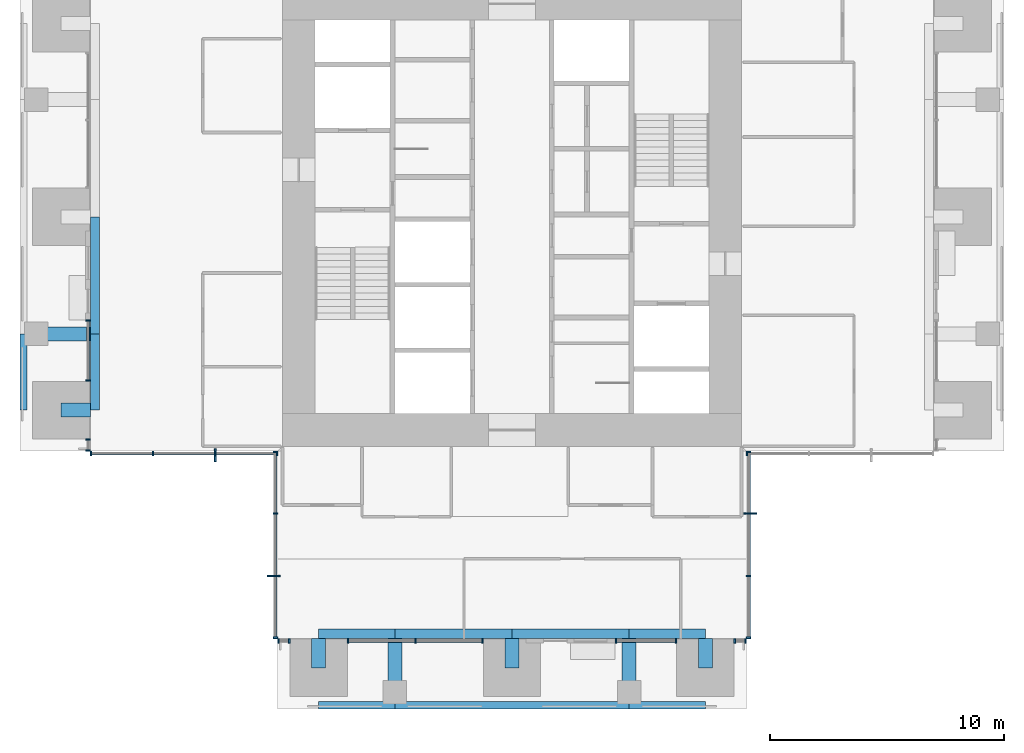
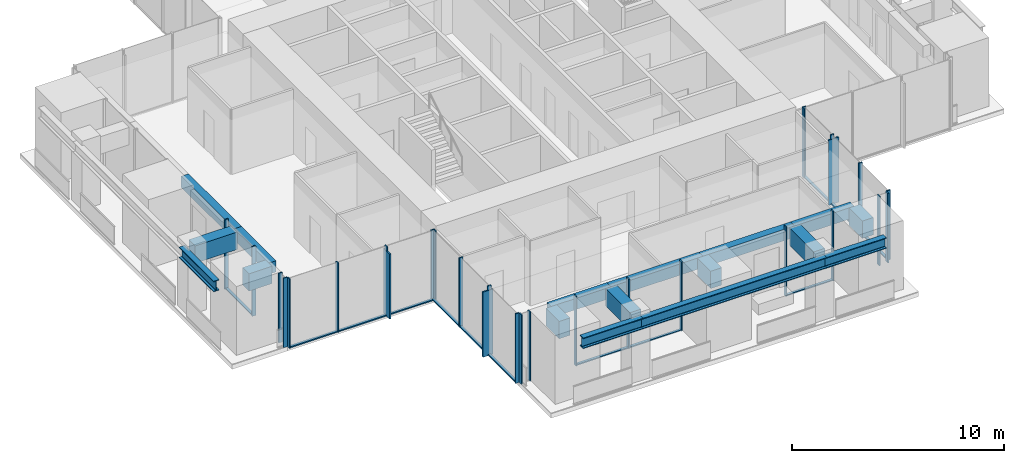
# One storey, part 2 of 17: 42 members, 17 beams, 10 elements without a shape of their own.
"""IFC4 building model written with IfcOpenShell, lengths in metres."""

from ifc_helpers import new_model, si_unit, direction, frame, origin, origin_2d, place, context, subcontext, project, spatial, rectangle, i_section, extrude, material, material_profile, profile_set, type_object, element, aggregate, save


model = new_model("IFC4")

# Units and contexts
model_context = context("Model", 3, precision=1e-05, world=origin(), true_north=direction((0.0, 1.0)))
body_context = subcontext(model_context, "Body", "Model", "MODEL_VIEW")
ifc_project = project(units=[si_unit("LENGTHUNIT", "METRE"), si_unit("AREAUNIT", "SQUARE_METRE"), si_unit("VOLUMEUNIT", "CUBIC_METRE"), si_unit("PLANEANGLEUNIT", "RADIAN"), si_unit("MASSUNIT", "GRAM", prefix="KILO")], contexts=[model_context])

# Site, building, storey
site_placement = place(None, origin())
site = spatial("IfcSite", under=ifc_project, at=site_placement, CompositionType="ELEMENT")
building_placement = place(site_placement, origin())
building = spatial("IfcBuilding", under=site, at=building_placement, Name="Svetlomir Tower", CompositionType="ELEMENT")
storey_placement = place(building_placement, frame((0.0, 0.0, 194.5)))
storey = spatial("IfcBuildingStorey", under=building, at=storey_placement, Name="L46", CompositionType="ELEMENT", Elevation=194.5)

# Curtain wall, member
ifc_material_1 = material(Name="Bronze anodised aluminium curtain wall", Category="aluminium")
curtain_wall_type = type_object("IfcCurtainWallType", Name="CURTAIN WALL CW1 TOWER OFFICE", PredefinedType="NOTDEFINED", material=ifc_material_1)
curtain_wall_1_placement = place(storey_placement, origin())
curtain_wall_1 = element("IfcCurtainWall", 1, at=curtain_wall_1_placement, inside=storey, type_object=curtain_wall_type, Name="Curtain wall CW1 L46", PredefinedType="NOTDEFINED")
ifc_material_2 = material(Name="Bronze anodised aluminium", Category="aluminium")
ifc_material_profile_1 = material_profile(ifc_material_2, rectangle(XDim=0.080078125, YDim=0.550048828125, at=origin_2d()), Name="FIN 80x550")
ifc_profile_set_1 = profile_set([ifc_material_profile_1], Name="Bronze anodised aluminium 6063-T6")
member_type_1 = type_object("IfcMemberType", Name="BRONZE FIN 80x550", PredefinedType="USERDEFINED", material=ifc_profile_set_1)
member_1_placement = place(storey_placement, frame((31.175048828125, 8.333251953125, 0.0), z_axis=(0.0, 0.0, 1.0), x_axis=(0.0, 1.0, 0.0)))
member_1 = element("IfcMember", 2, at=member_1_placement, type_object=member_type_1, Name="Bronze fin L46", ObjectType="FIN", PredefinedType="USERDEFINED", context=body_context, shape_type="SweptSolid", body=[
    extrude(rectangle(XDim=0.080078125, YDim=0.550048828125, at=origin_2d()), origin(), (0.0, 0.0, 1.0), 3.75),
])

curtain_wall_2_placement = place(storey_placement, origin())
curtain_wall_2 = element("IfcCurtainWall", 3, at=curtain_wall_2_placement, inside=storey, type_object=curtain_wall_type, Name="Curtain wall CW1 L46", PredefinedType="NOTDEFINED")
member_2_placement = place(storey_placement, frame((8.333251953125, 10.824951171875, 0.0), z_axis=(0.0, 0.0, 1.0), x_axis=(1.0, 0.0, 0.0)))
member_2 = element("IfcMember", 4, at=member_2_placement, type_object=member_type_1, Name="Bronze fin L46", ObjectType="FIN", PredefinedType="USERDEFINED", context=body_context, shape_type="SweptSolid", body=[
    extrude(rectangle(XDim=0.080078125, YDim=0.550048828125, at=origin_2d()), origin(), (0.0, 0.0, 1.0), 3.75),
])

curtain_wall_3_placement = place(storey_placement, origin())
curtain_wall_3 = element("IfcCurtainWall", 5, at=curtain_wall_3_placement, inside=storey, type_object=curtain_wall_type, Name="Curtain wall CW1 L46", PredefinedType="NOTDEFINED")
member_3_placement = place(storey_placement, frame((10.824951171875, 5.666748046875, 0.0), z_axis=(0.0, 0.0, 1.0), x_axis=(0.0, 1.0, 0.0)))
member_3 = element("IfcMember", 6, at=member_3_placement, type_object=member_type_1, Name="Bronze fin L46", ObjectType="FIN", PredefinedType="USERDEFINED", context=body_context, shape_type="SweptSolid", body=[
    extrude(rectangle(XDim=0.080078125, YDim=0.550048828125, at=origin_2d()), origin(), (0.0, 0.0, 1.0), 3.75),
])

# Curtain wall, members
curtain_wall_4_placement = place(storey_placement, origin())
curtain_wall_4 = element("IfcCurtainWall", 7, at=curtain_wall_4_placement, inside=storey, type_object=curtain_wall_type, Name="Curtain wall CW1 L46", PredefinedType="NOTDEFINED")
ifc_material_3 = material(Name="Bronze anodised aluminium", Category="aluminium")
ifc_material_profile_2 = material_profile(ifc_material_3, rectangle(XDim=0.06494140625, YDim=0.199951171875, at=origin_2d()), Name="AL 65x200")
ifc_profile_set_2 = profile_set([ifc_material_profile_2], Name="Bronze anodised aluminium 6063-T6")
member_type_2 = type_object("IfcMemberType", Name="CW1 MULLION 65x200", PredefinedType="MULLION", material=ifc_profile_set_2)
member_4_placement = place(storey_placement, frame((11.032470703125, 2.89990234375, 0.0), z_axis=(0.0, 0.0, 1.0), x_axis=(1.0, 0.0, 0.0)))
member_4 = element("IfcMember", 8, at=member_4_placement, type_object=member_type_2, Name="CW1 mullion 1", PredefinedType="MULLION", context=body_context, shape_type="SweptSolid", body=[
    extrude(rectangle(XDim=0.06494140625, YDim=0.199951171875, at=origin_2d()), origin(), (0.0, 0.0, 1.0), 4.0),
])
member_5_placement = place(storey_placement, frame((11.492431640625, 2.89990234375, 0.0), z_axis=(0.0, 0.0, 1.0), x_axis=(1.0, 0.0, 0.0)))
member_5 = element("IfcMember", 9, at=member_5_placement, type_object=member_type_2, Name="CW1 mullion 2", PredefinedType="MULLION", context=body_context, shape_type="SweptSolid", body=[
    extrude(rectangle(XDim=0.06494140625, YDim=0.199951171875, at=origin_2d()), origin(), (0.0, 0.0, 1.0), 4.0),
])
aggregate(curtain_wall_4, [member_4, member_5])

curtain_wall_5_placement = place(storey_placement, origin())
curtain_wall_5 = element("IfcCurtainWall", 10, at=curtain_wall_5_placement, inside=storey, type_object=curtain_wall_type, Name="Curtain wall CW1 L46", PredefinedType="NOTDEFINED")
member_6_placement = place(storey_placement, frame((14.007568359375, 2.89990234375, 0.0), z_axis=(0.0, 0.0, 1.0), x_axis=(1.0, 0.0, 0.0)))
member_6 = element("IfcMember", 11, at=member_6_placement, type_object=member_type_2, Name="CW1 mullion 1", PredefinedType="MULLION", context=body_context, shape_type="SweptSolid", body=[
    extrude(rectangle(XDim=0.06494140625, YDim=0.199951171875, at=origin_2d()), origin(), (0.0, 0.0, 1.0), 4.0),
])
member_7_placement = place(storey_placement, frame((16.875, 2.89990234375, 0.0), z_axis=(0.0, 0.0, 1.0), x_axis=(1.0, 0.0, 0.0)))
member_7 = element("IfcMember", 12, at=member_7_placement, type_object=member_type_2, Name="CW1 mullion 2", PredefinedType="MULLION", context=body_context, shape_type="SweptSolid", body=[
    extrude(rectangle(XDim=0.06494140625, YDim=0.199951171875, at=origin_2d()), origin(), (0.0, 0.0, 1.0), 4.0),
])
member_8_placement = place(storey_placement, frame((19.742431640625, 2.89990234375, 0.0), z_axis=(0.0, 0.0, 1.0), x_axis=(1.0, 0.0, 0.0)))
member_8 = element("IfcMember", 13, at=member_8_placement, type_object=member_type_2, Name="CW1 mullion 3", PredefinedType="MULLION", context=body_context, shape_type="SweptSolid", body=[
    extrude(rectangle(XDim=0.06494140625, YDim=0.199951171875, at=origin_2d()), origin(), (0.0, 0.0, 1.0), 4.0),
])

curtain_wall_6_placement = place(storey_placement, origin())
curtain_wall_6 = element("IfcCurtainWall", 14, at=curtain_wall_6_placement, inside=storey, type_object=curtain_wall_type, Name="Curtain wall CW1 L46", PredefinedType="NOTDEFINED")
member_9_placement = place(storey_placement, frame((25.4326171875, 2.89990234375, 0.0), z_axis=(0.0, 0.0, 1.0), x_axis=(1.0, 0.0, 0.0)))
member_9 = element("IfcMember", 15, at=member_9_placement, type_object=member_type_2, Name="CW1 mullion 1", PredefinedType="MULLION", context=body_context, shape_type="SweptSolid", body=[
    extrude(rectangle(XDim=0.06494140625, YDim=0.199951171875, at=origin_2d()), origin(), (0.0, 0.0, 1.0), 4.0),
])
member_10_placement = place(storey_placement, frame((27.992431640625, 2.89990234375, 0.0), z_axis=(0.0, 0.0, 1.0), x_axis=(1.0, 0.0, 0.0)))
member_10 = element("IfcMember", 16, at=member_10_placement, type_object=member_type_2, Name="CW1 mullion 2", PredefinedType="MULLION", context=body_context, shape_type="SweptSolid", body=[
    extrude(rectangle(XDim=0.06494140625, YDim=0.199951171875, at=origin_2d()), origin(), (0.0, 0.0, 1.0), 4.0),
])

curtain_wall_7_placement = place(storey_placement, origin())
curtain_wall_7 = element("IfcCurtainWall", 17, at=curtain_wall_7_placement, inside=storey, type_object=curtain_wall_type, Name="Curtain wall CW1 L46", PredefinedType="NOTDEFINED")
member_11_placement = place(storey_placement, frame((30.507568359375, 2.89990234375, 0.0), z_axis=(0.0, 0.0, 1.0), x_axis=(1.0, 0.0, 0.0)))
member_11 = element("IfcMember", 18, at=member_11_placement, type_object=member_type_2, Name="CW1 mullion 1", PredefinedType="MULLION", context=body_context, shape_type="SweptSolid", body=[
    extrude(rectangle(XDim=0.06494140625, YDim=0.199951171875, at=origin_2d()), origin(), (0.0, 0.0, 1.0), 4.0),
])
member_12_placement = place(storey_placement, frame((30.967529296875, 2.89990234375, 0.0), z_axis=(0.0, 0.0, 1.0), x_axis=(1.0, 0.0, 0.0)))
member_12 = element("IfcMember", 19, at=member_12_placement, type_object=member_type_2, Name="CW1 mullion 2", PredefinedType="MULLION", context=body_context, shape_type="SweptSolid", body=[
    extrude(rectangle(XDim=0.06494140625, YDim=0.199951171875, at=origin_2d()), origin(), (0.0, 0.0, 1.0), 4.0),
])
aggregate(curtain_wall_7, [member_11, member_12])

# Member
member_13_placement = place(storey_placement, frame((31.10009765625, 3.032470703125, 0.0), z_axis=(0.0, 0.0, 1.0), x_axis=(0.0, 1.0, 0.0)))
member_13 = element("IfcMember", 20, at=member_13_placement, type_object=member_type_2, Name="CW1 mullion 1", PredefinedType="MULLION", context=body_context, shape_type="SweptSolid", body=[
    extrude(rectangle(XDim=0.06494140625, YDim=0.199951171875, at=origin_2d()), origin(), (0.0, 0.0, 1.0), 4.0),
])

member_14_placement = place(storey_placement, frame((31.10009765625, 5.666748046875, 0.0), z_axis=(0.0, 0.0, 1.0), x_axis=(0.0, 1.0, 0.0)))
member_14 = element("IfcMember", 21, at=member_14_placement, type_object=member_type_2, Name="CW1 mullion 2", PredefinedType="MULLION", context=body_context, shape_type="SweptSolid", body=[
    extrude(rectangle(XDim=0.06494140625, YDim=0.199951171875, at=origin_2d()), origin(), (0.0, 0.0, 1.0), 4.0),
])

member_15_placement = place(storey_placement, frame((31.10009765625, 8.333251953125, 0.0), z_axis=(0.0, 0.0, 1.0), x_axis=(0.0, 1.0, 0.0)))
member_15 = element("IfcMember", 22, at=member_15_placement, type_object=member_type_2, Name="CW1 mullion 3", PredefinedType="MULLION", context=body_context, shape_type="SweptSolid", body=[
    extrude(rectangle(XDim=0.06494140625, YDim=0.199951171875, at=origin_2d()), origin(), (0.0, 0.0, 1.0), 4.0),
])

member_16_placement = place(storey_placement, frame((31.10009765625, 10.967529296875, 0.0), z_axis=(0.0, 0.0, 1.0), x_axis=(0.0, 1.0, 0.0)))
member_16 = element("IfcMember", 23, at=member_16_placement, type_object=member_type_2, Name="CW1 mullion 4", PredefinedType="MULLION", context=body_context, shape_type="SweptSolid", body=[
    extrude(rectangle(XDim=0.06494140625, YDim=0.199951171875, at=origin_2d()), origin(), (0.0, 0.0, 1.0), 4.0),
])

# Curtain wall, member
curtain_wall_8_placement = place(storey_placement, origin())
curtain_wall_8 = element("IfcCurtainWall", 24, at=curtain_wall_8_placement, inside=storey, type_object=curtain_wall_type, Name="Curtain wall CW1 L46", PredefinedType="NOTDEFINED")
member_17_placement = place(storey_placement, frame((31.032470703125, 10.89990234375, 0.0), z_axis=(0.0, 0.0, 1.0), x_axis=(1.0, 0.0, 0.0)))
member_17 = element("IfcMember", 25, at=member_17_placement, type_object=member_type_2, Name="CW1 mullion 1", PredefinedType="MULLION", context=body_context, shape_type="SweptSolid", body=[
    extrude(rectangle(XDim=0.06494140625, YDim=0.199951171875, at=origin_2d()), origin(), (0.0, 0.0, 1.0), 4.0),
])
aggregate(curtain_wall_8, [member_17])

# Curtain wall, members
curtain_wall_9_placement = place(storey_placement, origin())
curtain_wall_9 = element("IfcCurtainWall", 26, at=curtain_wall_9_placement, inside=storey, type_object=curtain_wall_type, Name="Curtain wall CW1 L46", PredefinedType="NOTDEFINED")
member_18_placement = place(storey_placement, frame((2.89990234375, 16.5673828125, 0.0), z_axis=(0.0, 0.0, 1.0), x_axis=(0.0, -1.0, 0.0)))
member_18 = element("IfcMember", 27, at=member_18_placement, type_object=member_type_2, Name="CW1 mullion 1", PredefinedType="MULLION", context=body_context, shape_type="SweptSolid", body=[
    extrude(rectangle(XDim=0.06494140625, YDim=0.199951171875, at=origin_2d()), origin(), (0.0, 0.0, 1.0), 4.0),
])
member_19_placement = place(storey_placement, frame((2.89990234375, 14.007568359375, 0.0), z_axis=(0.0, 0.0, 1.0), x_axis=(0.0, -1.0, 0.0)))
member_19 = element("IfcMember", 28, at=member_19_placement, type_object=member_type_2, Name="CW1 mullion 2", PredefinedType="MULLION", context=body_context, shape_type="SweptSolid", body=[
    extrude(rectangle(XDim=0.06494140625, YDim=0.199951171875, at=origin_2d()), origin(), (0.0, 0.0, 1.0), 4.0),
])

curtain_wall_10_placement = place(storey_placement, origin())
curtain_wall_10 = element("IfcCurtainWall", 29, at=curtain_wall_10_placement, inside=storey, type_object=curtain_wall_type, Name="Curtain wall CW1 L46", PredefinedType="NOTDEFINED")
member_20_placement = place(storey_placement, frame((2.89990234375, 11.492431640625, 0.0), z_axis=(0.0, 0.0, 1.0), x_axis=(0.0, -1.0, 0.0)))
member_20 = element("IfcMember", 30, at=member_20_placement, type_object=member_type_2, Name="CW1 mullion 1", PredefinedType="MULLION", context=body_context, shape_type="SweptSolid", body=[
    extrude(rectangle(XDim=0.06494140625, YDim=0.199951171875, at=origin_2d()), origin(), (0.0, 0.0, 1.0), 4.0),
])
member_21_placement = place(storey_placement, frame((2.89990234375, 11.032470703125, 0.0), z_axis=(0.0, 0.0, 1.0), x_axis=(0.0, -1.0, 0.0)))
member_21 = element("IfcMember", 31, at=member_21_placement, type_object=member_type_2, Name="CW1 mullion 2", PredefinedType="MULLION", context=body_context, shape_type="SweptSolid", body=[
    extrude(rectangle(XDim=0.06494140625, YDim=0.199951171875, at=origin_2d()), origin(), (0.0, 0.0, 1.0), 4.0),
])
aggregate(curtain_wall_10, [member_20, member_21])

# Member
member_22_placement = place(storey_placement, frame((3.032470703125, 10.89990234375, 0.0), z_axis=(0.0, 0.0, 1.0), x_axis=(1.0, 0.0, 0.0)))
member_22 = element("IfcMember", 32, at=member_22_placement, type_object=member_type_2, Name="CW1 mullion 1", PredefinedType="MULLION", context=body_context, shape_type="SweptSolid", body=[
    extrude(rectangle(XDim=0.06494140625, YDim=0.199951171875, at=origin_2d()), origin(), (0.0, 0.0, 1.0), 4.0),
])

member_23_placement = place(storey_placement, frame((5.666748046875, 10.89990234375, 0.0), z_axis=(0.0, 0.0, 1.0), x_axis=(1.0, 0.0, 0.0)))
member_23 = element("IfcMember", 33, at=member_23_placement, type_object=member_type_2, Name="CW1 mullion 2", PredefinedType="MULLION", context=body_context, shape_type="SweptSolid", body=[
    extrude(rectangle(XDim=0.06494140625, YDim=0.199951171875, at=origin_2d()), origin(), (0.0, 0.0, 1.0), 4.0),
])

member_24_placement = place(storey_placement, frame((8.333251953125, 10.89990234375, 0.0), z_axis=(0.0, 0.0, 1.0), x_axis=(1.0, 0.0, 0.0)))
member_24 = element("IfcMember", 34, at=member_24_placement, type_object=member_type_2, Name="CW1 mullion 3", PredefinedType="MULLION", context=body_context, shape_type="SweptSolid", body=[
    extrude(rectangle(XDim=0.06494140625, YDim=0.199951171875, at=origin_2d()), origin(), (0.0, 0.0, 1.0), 4.0),
])

member_25_placement = place(storey_placement, frame((10.967529296875, 10.89990234375, 0.0), z_axis=(0.0, 0.0, 1.0), x_axis=(1.0, 0.0, 0.0)))
member_25 = element("IfcMember", 35, at=member_25_placement, type_object=member_type_2, Name="CW1 mullion 4", PredefinedType="MULLION", context=body_context, shape_type="SweptSolid", body=[
    extrude(rectangle(XDim=0.06494140625, YDim=0.199951171875, at=origin_2d()), origin(), (0.0, 0.0, 1.0), 4.0),
])

member_26_placement = place(storey_placement, frame((10.89990234375, 10.967529296875, 0.0), z_axis=(0.0, 0.0, 1.0), x_axis=(0.0, -1.0, 0.0)))
member_26 = element("IfcMember", 36, at=member_26_placement, type_object=member_type_2, Name="CW1 mullion 1", PredefinedType="MULLION", context=body_context, shape_type="SweptSolid", body=[
    extrude(rectangle(XDim=0.06494140625, YDim=0.199951171875, at=origin_2d()), origin(), (0.0, 0.0, 1.0), 4.0),
])

member_27_placement = place(storey_placement, frame((10.89990234375, 8.333251953125, 0.0), z_axis=(0.0, 0.0, 1.0), x_axis=(0.0, -1.0, 0.0)))
member_27 = element("IfcMember", 37, at=member_27_placement, type_object=member_type_2, Name="CW1 mullion 2", PredefinedType="MULLION", context=body_context, shape_type="SweptSolid", body=[
    extrude(rectangle(XDim=0.06494140625, YDim=0.199951171875, at=origin_2d()), origin(), (0.0, 0.0, 1.0), 4.0),
])

member_28_placement = place(storey_placement, frame((10.89990234375, 5.666748046875, 0.0), z_axis=(0.0, 0.0, 1.0), x_axis=(0.0, -1.0, 0.0)))
member_28 = element("IfcMember", 38, at=member_28_placement, type_object=member_type_2, Name="CW1 mullion 3", PredefinedType="MULLION", context=body_context, shape_type="SweptSolid", body=[
    extrude(rectangle(XDim=0.06494140625, YDim=0.199951171875, at=origin_2d()), origin(), (0.0, 0.0, 1.0), 4.0),
])

member_29_placement = place(storey_placement, frame((10.89990234375, 3.032470703125, 0.0), z_axis=(0.0, 0.0, 1.0), x_axis=(0.0, -1.0, 0.0)))
member_29 = element("IfcMember", 39, at=member_29_placement, type_object=member_type_2, Name="CW1 mullion 4", PredefinedType="MULLION", context=body_context, shape_type="SweptSolid", body=[
    extrude(rectangle(XDim=0.06494140625, YDim=0.199951171875, at=origin_2d()), origin(), (0.0, 0.0, 1.0), 4.0),
])

ifc_material_4 = material(Name="Bronze anodised aluminium", Category="aluminium")
ifc_material_profile_3 = material_profile(ifc_material_4, rectangle(XDim=0.139892578125, YDim=0.06494140625, at=origin_2d()), Name="AL 140x65")
ifc_profile_set_3 = profile_set([ifc_material_profile_3], Name="Bronze anodised aluminium 6063-T6")
member_type_3 = type_object("IfcMemberType", Name="CW1 TRANSOM 65x140", PredefinedType="USERDEFINED", material=ifc_profile_set_3)
member_30_placement = place(storey_placement, frame((14.0400390625, 2.89990234375, 0.032470703125), z_axis=(1.0, 0.0, 0.0), x_axis=(0.0, 1.0, 0.0)))
member_30 = element("IfcMember", 40, at=member_30_placement, type_object=member_type_3, Name="CW1 transom 1.1", ObjectType="TRANSOM", PredefinedType="USERDEFINED", context=body_context, shape_type="SweptSolid", body=[
    extrude(rectangle(XDim=0.139892578125, YDim=0.06494140625, at=origin_2d()), origin(), (0.0, 0.0, 1.0), 2.802490234375),
])

member_31_placement = place(storey_placement, frame((16.907470703125, 2.89990234375, 0.032470703125), z_axis=(1.0, 0.0, 0.0), x_axis=(0.0, 1.0, 0.0)))
member_31 = element("IfcMember", 41, at=member_31_placement, type_object=member_type_3, Name="CW1 transom 2.1", ObjectType="TRANSOM", PredefinedType="USERDEFINED", context=body_context, shape_type="SweptSolid", body=[
    extrude(rectangle(XDim=0.139892578125, YDim=0.06494140625, at=origin_2d()), origin(), (0.0, 0.0, 1.0), 2.802490234375),
])

aggregate(curtain_wall_5, [member_6, member_7, member_8, member_30, member_31])

member_32_placement = place(storey_placement, frame((25.465087890625, 2.89990234375, 0.032470703125), z_axis=(1.0, 0.0, 0.0), x_axis=(0.0, 1.0, 0.0)))
member_32 = element("IfcMember", 42, at=member_32_placement, type_object=member_type_3, Name="CW1 transom 1.1", ObjectType="TRANSOM", PredefinedType="USERDEFINED", context=body_context, shape_type="SweptSolid", body=[
    extrude(rectangle(XDim=0.139892578125, YDim=0.06494140625, at=origin_2d()), origin(), (0.0, 0.0, 1.0), 2.494873046875),
])

aggregate(curtain_wall_6, [member_9, member_10, member_32])

member_33_placement = place(storey_placement, frame((31.10009765625, 3.06494140625, 0.032470703125), z_axis=(0.0, 1.0, 0.0), x_axis=(-1.0, 0.0, 0.0)))
member_33 = element("IfcMember", 43, at=member_33_placement, type_object=member_type_3, Name="CW1 transom 1.1", ObjectType="TRANSOM", PredefinedType="USERDEFINED", context=body_context, shape_type="SweptSolid", body=[
    extrude(rectangle(XDim=0.139892578125, YDim=0.06494140625, at=origin_2d()), origin(), (0.0, 0.0, 1.0), 2.5693359375),
])

member_34_placement = place(storey_placement, frame((31.10009765625, 5.69921875, 0.032470703125), z_axis=(0.0, 1.0, 0.0), x_axis=(-1.0, 0.0, 0.0)))
member_34 = element("IfcMember", 44, at=member_34_placement, type_object=member_type_3, Name="CW1 transom 2.1", ObjectType="TRANSOM", PredefinedType="USERDEFINED", context=body_context, shape_type="SweptSolid", body=[
    extrude(rectangle(XDim=0.139892578125, YDim=0.06494140625, at=origin_2d()), origin(), (0.0, 0.0, 1.0), 2.6015625),
])

member_35_placement = place(storey_placement, frame((31.10009765625, 8.36572265625, 0.032470703125), z_axis=(0.0, 1.0, 0.0), x_axis=(-1.0, 0.0, 0.0)))
member_35 = element("IfcMember", 45, at=member_35_placement, type_object=member_type_3, Name="CW1 transom 3.1", ObjectType="TRANSOM", PredefinedType="USERDEFINED", context=body_context, shape_type="SweptSolid", body=[
    extrude(rectangle(XDim=0.139892578125, YDim=0.06494140625, at=origin_2d()), origin(), (0.0, 0.0, 1.0), 2.5693359375),
])

aggregate(curtain_wall_1, [member_13, member_14, member_15, member_16, member_33, member_34, member_35, member_1])

member_36_placement = place(storey_placement, frame((2.89990234375, 16.534912109375, 0.032470703125), z_axis=(0.0, -1.0, 0.0), x_axis=(1.0, 0.0, 0.0)))
member_36 = element("IfcMember", 46, at=member_36_placement, type_object=member_type_3, Name="CW1 transom 1.1", ObjectType="TRANSOM", PredefinedType="USERDEFINED", context=body_context, shape_type="SweptSolid", body=[
    extrude(rectangle(XDim=0.139892578125, YDim=0.06494140625, at=origin_2d()), origin(), (0.0, 0.0, 1.0), 2.494873046875),
])

aggregate(curtain_wall_9, [member_18, member_19, member_36])

member_37_placement = place(storey_placement, frame((3.06494140625, 10.89990234375, 0.032470703125), z_axis=(1.0, 0.0, 0.0), x_axis=(0.0, 1.0, 0.0)))
member_37 = element("IfcMember", 47, at=member_37_placement, type_object=member_type_3, Name="CW1 transom 1.1", ObjectType="TRANSOM", PredefinedType="USERDEFINED", context=body_context, shape_type="SweptSolid", body=[
    extrude(rectangle(XDim=0.139892578125, YDim=0.06494140625, at=origin_2d()), origin(), (0.0, 0.0, 1.0), 2.5693359375),
])

member_38_placement = place(storey_placement, frame((5.69921875, 10.89990234375, 0.032470703125), z_axis=(1.0, 0.0, 0.0), x_axis=(0.0, 1.0, 0.0)))
member_38 = element("IfcMember", 48, at=member_38_placement, type_object=member_type_3, Name="CW1 transom 2.1", ObjectType="TRANSOM", PredefinedType="USERDEFINED", context=body_context, shape_type="SweptSolid", body=[
    extrude(rectangle(XDim=0.139892578125, YDim=0.06494140625, at=origin_2d()), origin(), (0.0, 0.0, 1.0), 2.6015625),
])

member_39_placement = place(storey_placement, frame((8.36572265625, 10.89990234375, 0.032470703125), z_axis=(1.0, 0.0, 0.0), x_axis=(0.0, 1.0, 0.0)))
member_39 = element("IfcMember", 49, at=member_39_placement, type_object=member_type_3, Name="CW1 transom 3.1", ObjectType="TRANSOM", PredefinedType="USERDEFINED", context=body_context, shape_type="SweptSolid", body=[
    extrude(rectangle(XDim=0.139892578125, YDim=0.06494140625, at=origin_2d()), origin(), (0.0, 0.0, 1.0), 2.5693359375),
])

aggregate(curtain_wall_2, [member_22, member_23, member_24, member_25, member_37, member_38, member_39, member_2])

member_40_placement = place(storey_placement, frame((10.89990234375, 10.93505859375, 0.032470703125), z_axis=(0.0, -1.0, 0.0), x_axis=(1.0, 0.0, 0.0)))
member_40 = element("IfcMember", 50, at=member_40_placement, type_object=member_type_3, Name="CW1 transom 1.1", ObjectType="TRANSOM", PredefinedType="USERDEFINED", context=body_context, shape_type="SweptSolid", body=[
    extrude(rectangle(XDim=0.139892578125, YDim=0.06494140625, at=origin_2d()), origin(), (0.0, 0.0, 1.0), 2.5693359375),
])

member_41_placement = place(storey_placement, frame((10.89990234375, 8.30078125, 0.032470703125), z_axis=(0.0, -1.0, 0.0), x_axis=(1.0, 0.0, 0.0)))
member_41 = element("IfcMember", 51, at=member_41_placement, type_object=member_type_3, Name="CW1 transom 2.1", ObjectType="TRANSOM", PredefinedType="USERDEFINED", context=body_context, shape_type="SweptSolid", body=[
    extrude(rectangle(XDim=0.139892578125, YDim=0.06494140625, at=origin_2d()), origin(), (0.0, 0.0, 1.0), 2.6015625),
])

member_42_placement = place(storey_placement, frame((10.89990234375, 5.63427734375, 0.032470703125), z_axis=(0.0, -1.0, 0.0), x_axis=(1.0, 0.0, 0.0)))
member_42 = element("IfcMember", 52, at=member_42_placement, type_object=member_type_3, Name="CW1 transom 3.1", ObjectType="TRANSOM", PredefinedType="USERDEFINED", context=body_context, shape_type="SweptSolid", body=[
    extrude(rectangle(XDim=0.139892578125, YDim=0.06494140625, at=origin_2d()), origin(), (0.0, 0.0, 1.0), 2.5693359375),
])

aggregate(curtain_wall_3, [member_26, member_27, member_28, member_29, member_40, member_41, member_42, member_3])

# Beams
ifc_material_5 = material(Name="Steel S355", Category="steel")
ifc_material_profile_4 = material_profile(ifc_material_5, i_section(OverallWidth=0.304931640625, OverallDepth=0.6201171875, WebThickness=0.02099609375, FlangeThickness=0.0400390625, FilletRadius=0.027099609375, at=origin_2d()), Name="HEM 600")
ifc_profile_set_4 = profile_set([ifc_material_profile_4], Name="Steel S355")
beam_type_1 = type_object("IfcBeamType", Name="EDGE BEAM HEM 600", PredefinedType="SPANDREL", material=ifc_profile_set_4)
for number, where, z_axis, x_axis, name in (
    (53, (12.75, 0.152587890625, 3.43994140625), (1.0, 0.0, 0.0), (0.0, 1.0, 0.0), "Edge beam 11/0 to 16/0 under L47"),
    (54, (0.152587890625, 12.75, 3.43994140625), (0.0, 1.0, 0.0), (-1.0, 0.0, 0.0), "Edge beam 0/11 to 0/16 under L47"),
):
    element("IfcBeam", number, at=place(storey_placement, frame(where, z_axis=z_axis, x_axis=x_axis)), inside=storey, type_object=beam_type_1, Name=name, PredefinedType="SPANDREL", context=body_context, shape_type="SweptSolid", body=[
        extrude(i_section(OverallWidth=0.304931640625, OverallDepth=0.6201171875, WebThickness=0.02099609375, FlangeThickness=0.0400390625, FilletRadius=0.027099609375, at=origin_2d()), origin(), (0.0, 0.0, 1.0), 3.25),
    ])
beam_1_placement = place(storey_placement, frame((16.0, 0.152587890625, 3.43994140625), z_axis=(1.0, 0.0, 0.0), x_axis=(0.0, 1.0, 0.0)))
element("IfcBeam", 55, at=beam_1_placement, inside=storey, type_object=beam_type_1, Name="Edge beam 16/0 to 26/0 under L47", PredefinedType="SPANDREL", context=body_context, shape_type="SweptSolid", body=[
    extrude(i_section(OverallWidth=0.304931640625, OverallDepth=0.6201171875, WebThickness=0.02099609375, FlangeThickness=0.0400390625, FilletRadius=0.027099609375, at=origin_2d()), origin(), (0.0, 0.0, 1.0), 10.0),
])
beam_2_placement = place(storey_placement, frame((26.0, 0.152587890625, 3.43994140625), z_axis=(1.0, 0.0, 0.0), x_axis=(0.0, 1.0, 0.0)))
element("IfcBeam", 56, at=beam_2_placement, inside=storey, type_object=beam_type_1, Name="Edge beam 26/0 to 31/0 under L47", PredefinedType="SPANDREL", context=body_context, shape_type="SweptSolid", body=[
    extrude(i_section(OverallWidth=0.304931640625, OverallDepth=0.6201171875, WebThickness=0.02099609375, FlangeThickness=0.0400390625, FilletRadius=0.027099609375, at=origin_2d()), origin(), (0.0, 0.0, 1.0), 3.25),
])
ifc_material_6 = material(Name="Concrete C60/75", Category="concrete")
ifc_material_profile_5 = material_profile(ifc_material_6, rectangle(XDim=0.39990234375, YDim=0.64990234375, at=origin_2d()), Name="RC 400x650")
ifc_profile_set_5 = profile_set([ifc_material_profile_5], Name="Concrete C60/75")
beam_type_2 = type_object("IfcBeamType", Name="FACADE EDGE BEAM RC 400x650", PredefinedType="BEAM", material=ifc_profile_set_5)
beam_3_placement = place(storey_placement, frame((12.75, 3.199951171875, 3.425048828125), z_axis=(1.0, 0.0, 0.0), x_axis=(0.0, 1.0, 0.0)))
element("IfcBeam", 57, at=beam_3_placement, inside=storey, type_object=beam_type_2, Name="Facade edge beam S 11 to 16 under L47", PredefinedType="BEAM", context=body_context, shape_type="SweptSolid", body=[
    extrude(rectangle(XDim=0.39990234375, YDim=0.64990234375, at=origin_2d()), origin(), (0.0, 0.0, 1.0), 3.25),
])
for number, where, z_axis, x_axis, name in (
    (58, (16.0, 3.199951171875, 3.425048828125), (1.0, 0.0, 0.0), (0.0, 1.0, 0.0), "Facade edge beam S 16 to 21 under L47"),
    (59, (21.0, 3.199951171875, 3.425048828125), (1.0, 0.0, 0.0), (0.0, 1.0, 0.0), "Facade edge beam S 21 to 26 under L47"),
):
    element("IfcBeam", number, at=place(storey_placement, frame(where, z_axis=z_axis, x_axis=x_axis)), inside=storey, type_object=beam_type_2, Name=name, PredefinedType="BEAM", context=body_context, shape_type="SweptSolid", body=[
        extrude(rectangle(XDim=0.39990234375, YDim=0.64990234375, at=origin_2d()), origin(), (0.0, 0.0, 1.0), 5.0),
    ])
for number, where, z_axis, x_axis, name in (
    (60, (26.0, 3.199951171875, 3.425048828125), (1.0, 0.0, 0.0), (0.0, 1.0, 0.0), "Facade edge beam S 26 to 31 under L47"),
    (61, (3.199951171875, 12.75, 3.425048828125), (0.0, 1.0, 0.0), (-1.0, 0.0, 0.0), "Facade edge beam W 11 to 16 under L47"),
):
    element("IfcBeam", number, at=place(storey_placement, frame(where, z_axis=z_axis, x_axis=x_axis)), inside=storey, type_object=beam_type_2, Name=name, PredefinedType="BEAM", context=body_context, shape_type="SweptSolid", body=[
        extrude(rectangle(XDim=0.39990234375, YDim=0.64990234375, at=origin_2d()), origin(), (0.0, 0.0, 1.0), 3.25),
    ])
beam_4_placement = place(storey_placement, frame((3.199951171875, 16.0, 3.425048828125), z_axis=(0.0, 1.0, 0.0), x_axis=(-1.0, 0.0, 0.0)))
element("IfcBeam", 62, at=beam_4_placement, inside=storey, type_object=beam_type_2, Name="Facade edge beam W 16 to 21 under L47", PredefinedType="BEAM", context=body_context, shape_type="SweptSolid", body=[
    extrude(rectangle(XDim=0.39990234375, YDim=0.64990234375, at=origin_2d()), origin(), (0.0, 0.0, 1.0), 5.0),
])
ifc_material_7 = material(Name="Concrete C60/75", Category="concrete")
ifc_material_profile_6 = material_profile(ifc_material_7, rectangle(XDim=0.60009765625, YDim=1.0, at=origin_2d()), Name="RC 600x1000")
ifc_profile_set_6 = profile_set([ifc_material_profile_6], Name="Concrete C60/75")
beam_type_3 = type_object("IfcBeamType", Name="LOGGIA LINK BEAM RC 600x1000", PredefinedType="BEAM", material=ifc_profile_set_6)
beam_5_placement = place(storey_placement, frame((12.75, 1.75, 3.25), z_axis=(0.0, 1.0, 0.0), x_axis=(-1.0, 0.0, 0.0)))
element("IfcBeam", 63, at=beam_5_placement, inside=storey, type_object=beam_type_3, Name="Loggia link beam S 11 under L47", PredefinedType="BEAM", context=body_context, shape_type="SweptSolid", body=[
    extrude(rectangle(XDim=0.60009765625, YDim=1.0, at=origin_2d()), origin(), (0.0, 0.0, 1.0), 1.25),
])
beam_6_placement = place(storey_placement, frame((16.0, 0.699951171875, 3.25), z_axis=(0.0, 1.0, 0.0), x_axis=(-1.0, 0.0, 0.0)))
element("IfcBeam", 64, at=beam_6_placement, inside=storey, type_object=beam_type_3, Name="Loggia link beam S 16 under L47", PredefinedType="BEAM", context=body_context, shape_type="SweptSolid", body=[
    extrude(rectangle(XDim=0.60009765625, YDim=1.0, at=origin_2d()), origin(), (0.0, 0.0, 1.0), 2.300048828125),
])
beam_7_placement = place(storey_placement, frame((21.0, 1.75, 3.25), z_axis=(0.0, 1.0, 0.0), x_axis=(-1.0, 0.0, 0.0)))
element("IfcBeam", 65, at=beam_7_placement, inside=storey, type_object=beam_type_3, Name="Loggia link beam S 21 under L47", PredefinedType="BEAM", context=body_context, shape_type="SweptSolid", body=[
    extrude(rectangle(XDim=0.60009765625, YDim=1.0, at=origin_2d()), origin(), (0.0, 0.0, 1.0), 1.25),
])
beam_8_placement = place(storey_placement, frame((26.0, 0.699951171875, 3.25), z_axis=(0.0, 1.0, 0.0), x_axis=(-1.0, 0.0, 0.0)))
element("IfcBeam", 66, at=beam_8_placement, inside=storey, type_object=beam_type_3, Name="Loggia link beam S 26 under L47", PredefinedType="BEAM", context=body_context, shape_type="SweptSolid", body=[
    extrude(rectangle(XDim=0.60009765625, YDim=1.0, at=origin_2d()), origin(), (0.0, 0.0, 1.0), 2.300048828125),
])
for number, where, z_axis, x_axis, name in (
    (67, (29.25, 1.75, 3.25), (0.0, 1.0, 0.0), (-1.0, 0.0, 0.0), "Loggia link beam S 31 under L47"),
    (68, (1.75, 12.75, 3.25), (1.0, 0.0, 0.0), (0.0, 1.0, 0.0), "Loggia link beam W 11 under L47"),
):
    element("IfcBeam", number, at=place(storey_placement, frame(where, z_axis=z_axis, x_axis=x_axis)), inside=storey, type_object=beam_type_3, Name=name, PredefinedType="BEAM", context=body_context, shape_type="SweptSolid", body=[
        extrude(rectangle(XDim=0.60009765625, YDim=1.0, at=origin_2d()), origin(), (0.0, 0.0, 1.0), 1.25),
    ])
beam_9_placement = place(storey_placement, frame((0.699951171875, 16.0, 3.25), z_axis=(1.0, 0.0, 0.0), x_axis=(0.0, 1.0, 0.0)))
element("IfcBeam", 69, at=beam_9_placement, inside=storey, type_object=beam_type_3, Name="Loggia link beam W 16 under L47", PredefinedType="BEAM", context=body_context, shape_type="SweptSolid", body=[
    extrude(rectangle(XDim=0.60009765625, YDim=1.0, at=origin_2d()), origin(), (0.0, 0.0, 1.0), 2.300048828125),
])

save(model, "model.ifc")
